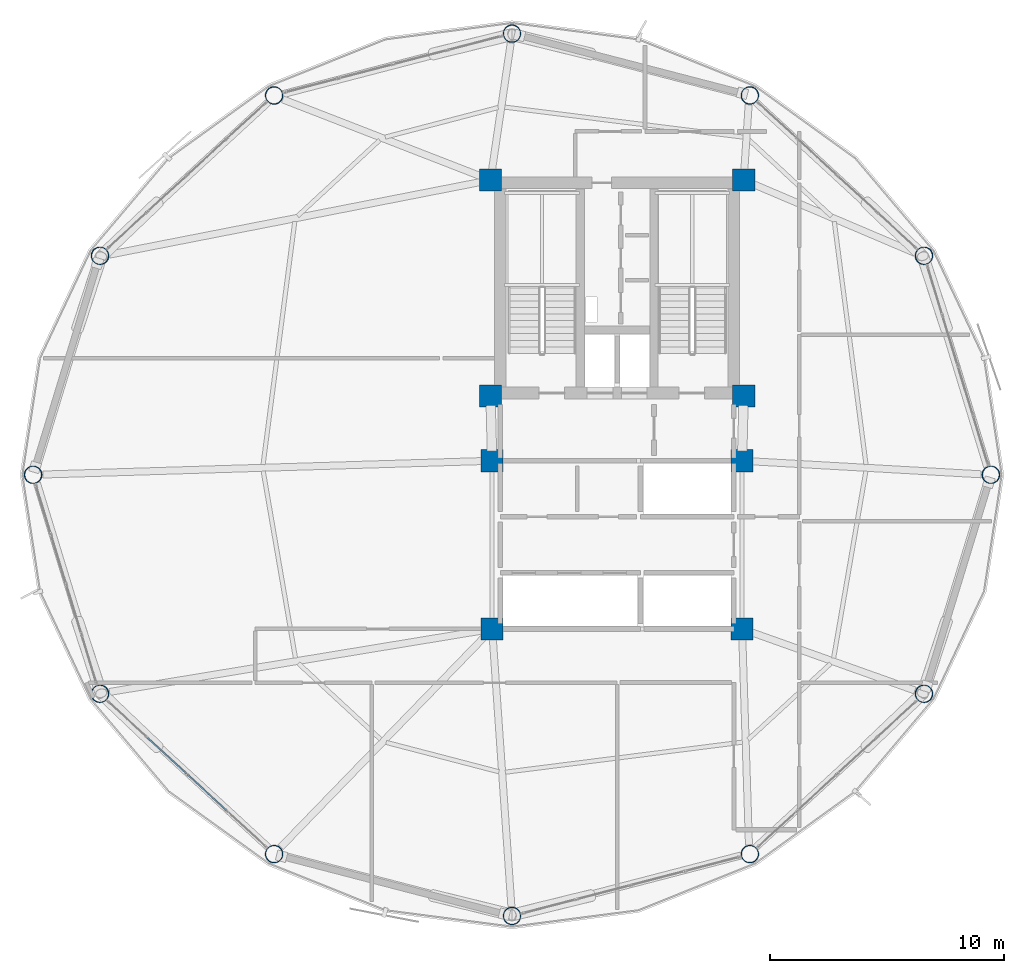
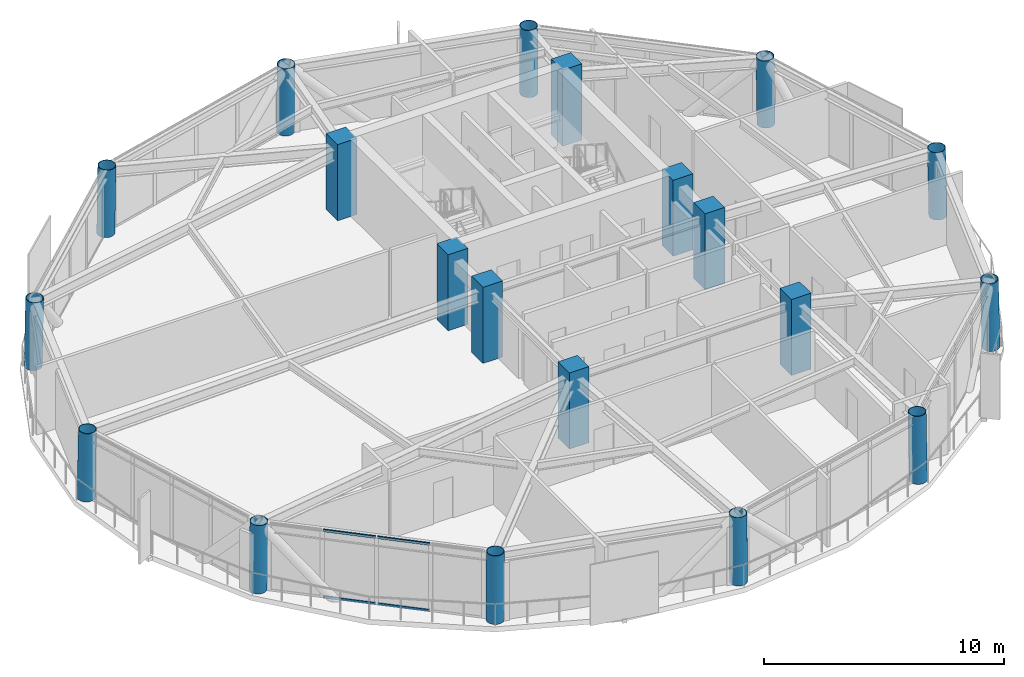
# One storey, part 1 of 26: 20 columns, 4 members, 1 element without a shape of its own.
"""IFC4 building model written with IfcOpenShell, lengths in metres."""

from ifc_helpers import new_model, si_unit, direction, frame, origin, origin_2d, place, context, subcontext, project, spatial, rectangle, hollow_rectangle, hollow_circle, extrude, material, layer, layer_set, material_profile, profile_set, type_object, element, aggregate, save


model = new_model("IFC4")

# Units and contexts
model_context = context("Model", 3, precision=1e-05, world=origin(), true_north=direction((0.0, 1.0)))
body_context = subcontext(model_context, "Body", "Model", "MODEL_VIEW")
ifc_project = project(units=[si_unit("LENGTHUNIT", "METRE"), si_unit("AREAUNIT", "SQUARE_METRE"), si_unit("VOLUMEUNIT", "CUBIC_METRE"), si_unit("PLANEANGLEUNIT", "RADIAN"), si_unit("MASSUNIT", "GRAM", prefix="KILO")], contexts=[model_context])

# Site, building, storey
site_placement = place(None, origin())
site = spatial("IfcSite", under=ifc_project, at=site_placement, CompositionType="ELEMENT")
building_placement = place(site_placement, origin())
building = spatial("IfcBuilding", under=site, at=building_placement, Name="Varnakorn Sky Granary", CompositionType="ELEMENT")
storey_placement = place(building_placement, frame((0.0, 0.0, 165.60009765625)))
storey = spatial("IfcBuildingStorey", under=building, at=storey_placement, Name="L41", CompositionType="ELEMENT", Elevation=165.60009765625)

# Columns
ifc_material_1 = material(Name="Steel S460M", Category="steel")
ifc_material_profile_1 = material_profile(ifc_material_1, hollow_circle(Radius=0.381103515625, WallThickness=0.028076171875, at=origin_2d()), Name="CHS 762x28")
ifc_profile_set_1 = profile_set([ifc_material_profile_1], Name="Steel S460M")
column_type_1 = type_object("IfcColumnType", Name="COL-DC-Z3", PredefinedType="COLUMN", material=ifc_profile_set_1)
column_1_placement = place(storey_placement, frame((19.01708984375, 0.0, 0.0), z_axis=(-0.019457075977, 0.0, 0.999810693179), x_axis=(0.0, -1.0, 0.0)))
element("IfcColumn", 1, at=column_1_placement, inside=storey, type_object=column_type_1, Name="Drum Perimeter Column DC01 L41", PredefinedType="COLUMN", context=body_context, shape_type="SweptSolid", body=[
    extrude(hollow_circle(Radius=0.381103515625, WallThickness=0.028076171875, at=origin_2d()), origin(), (0.0, 0.0, 1.0), 3.45068359375),
])
for number, where, z_axis, x_axis, name in (
    (2, (16.1513671875, 9.381591796875, 0.0), (-0.016839601781, -0.007004708304, 0.999833667103), (0.384064389966, -0.923306311232, 0.0), "Drum Perimeter Column DC02 L41"),
    (3, (8.69091796875, 16.249267578125, 0.0), (-0.009693839824, -0.012028852336, 0.99988066097), (0.77862958397, -0.627483841199, 0.0), "Drum Perimeter Column DC03 L41"),
):
    element("IfcColumn", number, at=place(storey_placement, frame(where, z_axis=z_axis, x_axis=x_axis)), inside=storey, type_object=column_type_1, Name=name, PredefinedType="COLUMN", context=body_context, shape_type="SweptSolid", body=[
        extrude(hollow_circle(Radius=0.381103515625, WallThickness=0.028076171875, at=origin_2d()), origin(), (0.0, 0.0, 1.0), 3.450439453125),
    ])
column_2_placement = place(storey_placement, frame((-1.5, 18.89794921875, 0.0), z_axis=(0.0, -0.013868880419, 0.999903822453), x_axis=(1.0, 0.0, 0.0)))
element("IfcColumn", 4, at=column_2_placement, inside=storey, type_object=column_type_1, Name="Drum Perimeter Column DC04 L41", PredefinedType="COLUMN", context=body_context, shape_type="SweptSolid", body=[
    extrude(hollow_circle(Radius=0.381103515625, WallThickness=0.028076171875, at=origin_2d()), origin(), (0.0, 0.0, 1.0), 3.4501953125),
])
for number, where, z_axis, x_axis, name in (
    (5, (-11.69091796875, 16.249267578125, 0.0), (0.009693839824, -0.012028852336, 0.99988066097), (0.77862958397, 0.627483841199, 0.0), "Drum Perimeter Column DC05 L41"),
    (6, (-19.1513671875, 9.381591796875, 0.0), (0.016839601781, -0.007004708304, 0.999833667103), (0.384064389966, 0.923306311232, 0.0), "Drum Perimeter Column DC06 L41"),
):
    element("IfcColumn", number, at=place(storey_placement, frame(where, z_axis=z_axis, x_axis=x_axis)), inside=storey, type_object=column_type_1, Name=name, PredefinedType="COLUMN", context=body_context, shape_type="SweptSolid", body=[
        extrude(hollow_circle(Radius=0.381103515625, WallThickness=0.028076171875, at=origin_2d()), origin(), (0.0, 0.0, 1.0), 3.450439453125),
    ])
column_3_placement = place(storey_placement, frame((-22.01708984375, 0.0, 0.0), z_axis=(0.019457075977, 0.0, 0.999810693179), x_axis=(0.0, 1.0, 0.0)))
element("IfcColumn", 7, at=column_3_placement, inside=storey, type_object=column_type_1, Name="Drum Perimeter Column DC07 L41", PredefinedType="COLUMN", context=body_context, shape_type="SweptSolid", body=[
    extrude(hollow_circle(Radius=0.381103515625, WallThickness=0.028076171875, at=origin_2d()), origin(), (0.0, 0.0, 1.0), 3.45068359375),
])
for number, where, z_axis, x_axis, name in (
    (8, (-19.1513671875, -9.381591796875, 0.0), (0.016839601781, 0.007004708304, 0.999833667103), (-0.384064389966, 0.923306311232, 0.0), "Drum Perimeter Column DC08 L41"),
    (9, (-11.69091796875, -16.249267578125, 0.0), (0.009693839824, 0.012028852336, 0.99988066097), (-0.77862958397, 0.627483841199, 0.0), "Drum Perimeter Column DC09 L41"),
):
    element("IfcColumn", number, at=place(storey_placement, frame(where, z_axis=z_axis, x_axis=x_axis)), inside=storey, type_object=column_type_1, Name=name, PredefinedType="COLUMN", context=body_context, shape_type="SweptSolid", body=[
        extrude(hollow_circle(Radius=0.381103515625, WallThickness=0.028076171875, at=origin_2d()), origin(), (0.0, 0.0, 1.0), 3.450439453125),
    ])
column_4_placement = place(storey_placement, frame((-1.5, -18.89794921875, 0.0), z_axis=(0.0, 0.013868880419, 0.999903822453), x_axis=(-1.0, 0.0, 0.0)))
element("IfcColumn", 10, at=column_4_placement, inside=storey, type_object=column_type_1, Name="Drum Perimeter Column DC10 L41", PredefinedType="COLUMN", context=body_context, shape_type="SweptSolid", body=[
    extrude(hollow_circle(Radius=0.381103515625, WallThickness=0.028076171875, at=origin_2d()), origin(), (0.0, 0.0, 1.0), 3.4501953125),
])
for number, where, z_axis, x_axis, name in (
    (11, (8.69091796875, -16.249267578125, 0.0), (-0.009693839824, 0.012028852336, 0.99988066097), (-0.77862958397, -0.627483841199, 0.0), "Drum Perimeter Column DC11 L41"),
    (12, (16.1513671875, -9.381591796875, 0.0), (-0.016839601781, 0.007004708304, 0.999833667103), (-0.384064389966, -0.923306311232, 0.0), "Drum Perimeter Column DC12 L41"),
):
    element("IfcColumn", number, at=place(storey_placement, frame(where, z_axis=z_axis, x_axis=x_axis)), inside=storey, type_object=column_type_1, Name=name, PredefinedType="COLUMN", context=body_context, shape_type="SweptSolid", body=[
        extrude(hollow_circle(Radius=0.381103515625, WallThickness=0.028076171875, at=origin_2d()), origin(), (0.0, 0.0, 1.0), 3.450439453125),
    ])
ifc_material_2 = material(Name="Concrete C50/60", Category="concrete")
ifc_material_profile_2 = material_profile(ifc_material_2, rectangle(XDim=0.949951171875, YDim=0.949951171875, at=origin_2d()), Name="RC 950x950")
ifc_profile_set_2 = profile_set([ifc_material_profile_2], Name="Concrete C50/60")
column_type_2 = type_object("IfcColumnType", Name="COL-MC-Z3", PredefinedType="COLUMN", material=ifc_profile_set_2)
for number, where, z_axis, x_axis, name in (
    (13, (-2.419921875, 12.6201171875, 0.0), (0.0, 0.0, 1.0), (1.0, 0.0, 0.0), "Backbone Mega-Column MC1 L41"),
    (14, (8.419921875, 12.6201171875, 0.0), (0.0, 0.0, 1.0), (1.0, 0.0, 0.0), "Backbone Mega-Column MC2 L41"),
    (15, (-2.419921875, 3.3798828125, 0.0), (0.0, 0.0, 1.0), (1.0, 0.0, 0.0), "Backbone Mega-Column MC3 L41"),
    (16, (8.419921875, 3.3798828125, 0.0), (0.0, 0.0, 1.0), (1.0, 0.0, 0.0), "Backbone Mega-Column MC4 L41"),
    (17, (-2.35009765625, 0.60009765625, 0.0), (0.0, 0.0, 1.0), (1.0, 0.0, 0.0), "Backbone Mega-Column MC5 L41"),
    (18, (8.35009765625, 0.60009765625, 0.0), (0.0, 0.0, 1.0), (1.0, 0.0, 0.0), "Backbone Mega-Column MC6 L41"),
    (19, (-2.35009765625, -6.60009765625, 0.0), (0.0, 0.0, 1.0), (1.0, 0.0, 0.0), "Backbone Mega-Column MC7 L41"),
    (20, (8.35009765625, -6.60009765625, 0.0), (0.0, 0.0, 1.0), (1.0, 0.0, 0.0), "Backbone Mega-Column MC8 L41"),
):
    element("IfcColumn", number, at=place(storey_placement, frame(where, z_axis=z_axis, x_axis=x_axis)), inside=storey, type_object=column_type_2, Name=name, PredefinedType="COLUMN", context=body_context, shape_type="SweptSolid", body=[
        extrude(rectangle(XDim=0.949951171875, YDim=0.949951171875, at=origin_2d()), origin(), (0.0, 0.0, 1.0), 3.875),
    ])

# Curtain wall, members
ifc_material_3 = material(Name="Anodised Bronze Aluminium Alloy 6063-T6", Category="aluminium")
ifc_layer = layer(ifc_material_3, 0.179931640625, Name="Anodised Bronze Aluminium Alloy 6063-T6")
ifc_layer_set = layer_set([ifc_layer], Name="Anodised Bronze Aluminium Alloy 6063-T6")
curtain_wall_type = type_object("IfcCurtainWallType", Name="CW-FRM-2", PredefinedType="USERDEFINED", material=ifc_layer_set)
curtain_wall_placement = place(storey_placement, origin())
curtain_wall = element("IfcCurtainWall", 21, at=curtain_wall_placement, inside=storey, type_object=curtain_wall_type, Name="Unitised Curtain Wall CW4 CW-L41-B08", ObjectType="CURTAIN WALL", PredefinedType="USERDEFINED")
ifc_material_profile_3 = material_profile(ifc_material_3, hollow_rectangle(XDim=0.06494140625, YDim=0.1201171875, WallThickness=0.00341796875, at=origin_2d()), Name="ALU TRAN 65x120")
ifc_profile_set_3 = profile_set([ifc_material_profile_3], Name="Anodised Bronze Aluminium Alloy 6063-T6")
member_type = type_object("IfcMemberType", Name="CW-FRM-2-TRAN", PredefinedType="USERDEFINED", material=ifc_profile_set_3)
member_1_placement = place(storey_placement, frame((-13.744140625, -14.359130859375, 0.032470703125), z_axis=(-0.735761886195, 0.677240316891, 0.0), x_axis=(-0.677240316891, -0.735761886195, 0.0)))
member_1 = element("IfcMember", 22, at=member_1_placement, type_object=member_type, Name="CW4 transom 2.1", ObjectType="TRANSOM", PredefinedType="USERDEFINED", context=body_context, shape_type="SweptSolid", body=[
    extrude(hollow_rectangle(XDim=0.06494140625, YDim=0.1201171875, WallThickness=0.00341796875, at=origin_2d()), origin(), (0.0, 0.0, 1.0), 2.244384765625),
])
member_2_placement = place(storey_placement, frame((-13.744140625, -14.359130859375, 3.41748046875), z_axis=(-0.735761886195, 0.677240316891, 0.0), x_axis=(-0.677240316891, -0.735761886195, 0.0)))
member_2 = element("IfcMember", 23, at=member_2_placement, type_object=member_type, Name="CW4 transom 2.2", ObjectType="TRANSOM", PredefinedType="USERDEFINED", context=body_context, shape_type="SweptSolid", body=[
    extrude(hollow_rectangle(XDim=0.06494140625, YDim=0.1201171875, WallThickness=0.00341796875, at=origin_2d()), origin(), (0.0, 0.0, 1.0), 2.244384765625),
])
member_3_placement = place(storey_placement, frame((-15.447021484375, -12.791748046875, 0.032470703125), z_axis=(-0.735657784369, 0.677353396904, 0.0), x_axis=(-0.677353396904, -0.735657784369, 0.0)))
member_3 = element("IfcMember", 24, at=member_3_placement, type_object=member_type, Name="CW4 transom 3.1", ObjectType="TRANSOM", PredefinedType="USERDEFINED", context=body_context, shape_type="SweptSolid", body=[
    extrude(hollow_rectangle(XDim=0.06494140625, YDim=0.1201171875, WallThickness=0.00341796875, at=origin_2d()), origin(), (0.0, 0.0, 1.0), 2.244384765625),
])
member_4_placement = place(storey_placement, frame((-15.447021484375, -12.791748046875, 3.41748046875), z_axis=(-0.735657784369, 0.677353396904, 0.0), x_axis=(-0.677353396904, -0.735657784369, 0.0)))
member_4 = element("IfcMember", 25, at=member_4_placement, type_object=member_type, Name="CW4 transom 3.2", ObjectType="TRANSOM", PredefinedType="USERDEFINED", context=body_context, shape_type="SweptSolid", body=[
    extrude(hollow_rectangle(XDim=0.06494140625, YDim=0.1201171875, WallThickness=0.00341796875, at=origin_2d()), origin(), (0.0, 0.0, 1.0), 2.244384765625),
])
aggregate(curtain_wall, [member_1, member_2, member_3, member_4])

save(model, "model.ifc")
